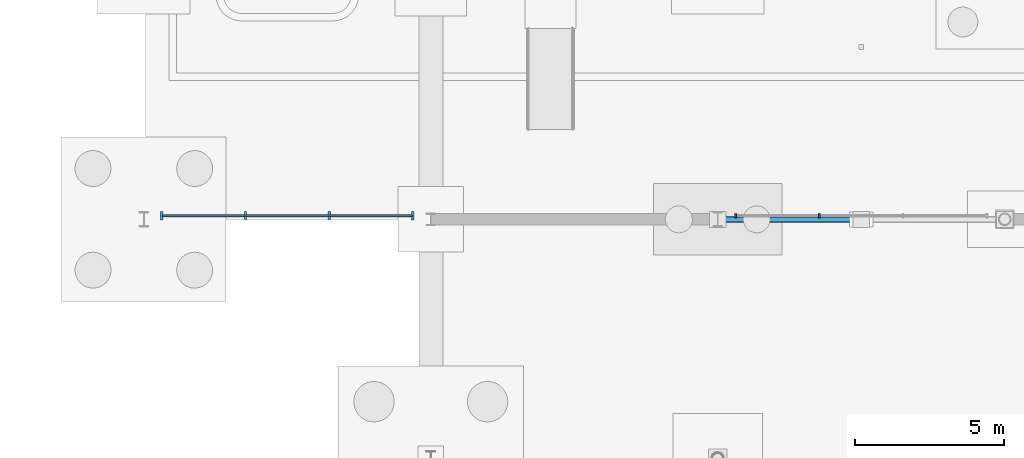
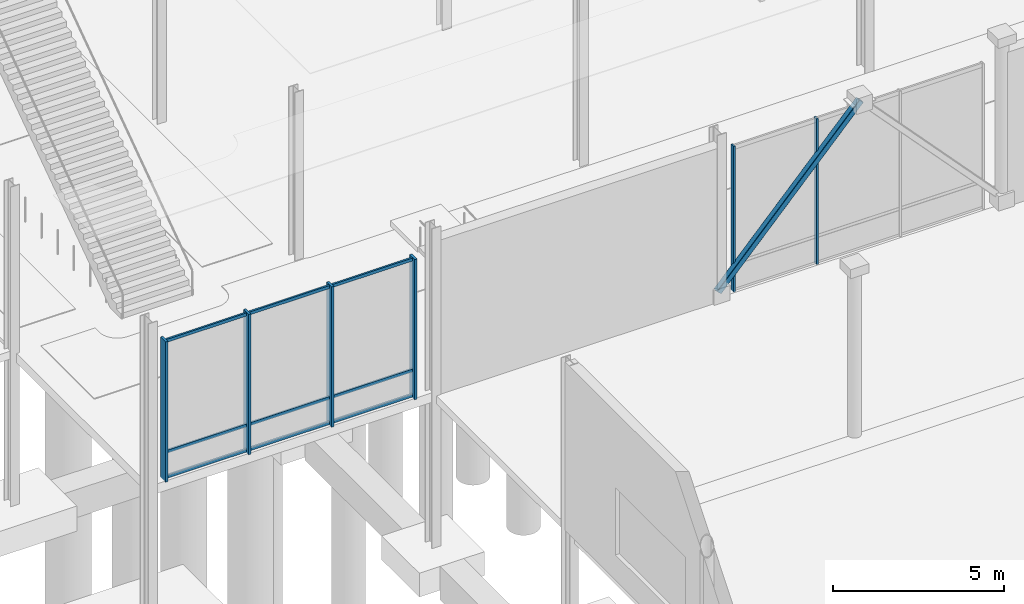
# One storey, part 59 of 124: 10 members, 2 elements without a shape of their own.
"""IFC4 building model written with IfcOpenShell, lengths in metres."""

from ifc_helpers import new_model, si_unit, direction, frame, origin, origin_2d, place, context, subcontext, project, spatial, rectangle, hollow_rectangle, extrude, material, material_profile, profile_set, type_object, element, aggregate, save


model = new_model("IFC4")

# Units and contexts
model_context = context("Model", 3, precision=1e-05, world=origin(), true_north=direction((0.0, 1.0)))
body_context = subcontext(model_context, "Body", "Model", "MODEL_VIEW")
ifc_project = project(units=[si_unit("LENGTHUNIT", "METRE"), si_unit("AREAUNIT", "SQUARE_METRE"), si_unit("VOLUMEUNIT", "CUBIC_METRE"), si_unit("PLANEANGLEUNIT", "RADIAN"), si_unit("MASSUNIT", "GRAM", prefix="KILO")], contexts=[model_context])

# Site, building, storey
site_placement = place(None, origin())
site = spatial("IfcSite", under=ifc_project, at=site_placement, CompositionType="ELEMENT")
building_placement = place(site_placement, origin())
building = spatial("IfcBuilding", under=site, at=building_placement, Name="Danafjord Basin Convention Centre", CompositionType="ELEMENT")
storey_placement = place(building_placement, origin())
storey = spatial("IfcBuildingStorey", under=building, at=storey_placement, Name="L00", CompositionType="ELEMENT", Elevation=0.0)

# Member
ifc_material_1 = material(Name="Steel S355", Category="steel")
ifc_material_profile_1 = material_profile(ifc_material_1, hollow_rectangle(XDim=0.199951171875, YDim=0.199951171875, WallThickness=0.010009765625, InnerFilletRadius=0.014892578125, OuterFilletRadius=0.02490234375, at=origin_2d()), Name="SHS 200x200x10.0")
ifc_profile_set_1 = profile_set([ifc_material_profile_1], Name="Steel S355")
member_type_1 = type_object("IfcMemberType", Name="MEM-BRS-200", PredefinedType="BRACE", material=ifc_profile_set_1)
member_1_placement = place(storey_placement, frame((153.60009765625, 88.0, 0.25), z_axis=(0.681804063418, 0.0, 0.731534837931), x_axis=(0.0, 1.0, 0.0)))
element("IfcMember", 1, at=member_1_placement, inside=storey, type_object=member_type_1, Name="Diagonal brace BRS-200 (L00 braced frame BF-07 diagonal A)", PredefinedType="BRACE", context=body_context, shape_type="SweptSolid", body=[
    extrude(hollow_rectangle(XDim=0.199951171875, YDim=0.199951171875, WallThickness=0.010009765625, InnerFilletRadius=0.014892578125, OuterFilletRadius=0.02490234375, at=origin_2d()), origin(), (0.0, 0.0, 1.0), 7.039794921875),
])

# Curtain wall, members
ifc_material_2 = material(Name="Anodised aluminium and triple glazing", Category="aluminium")
curtain_wall_type = type_object("IfcCurtainWallType", Name="CW-CW-DRUM", PredefinedType="NOTDEFINED", material=ifc_material_2)
curtain_wall_1_placement = place(storey_placement, origin())
curtain_wall_1 = element("IfcCurtainWall", 2, at=curtain_wall_1_placement, inside=storey, type_object=curtain_wall_type, Name="L00 CW-DRUM unitised curtain wall bay 115", PredefinedType="NOTDEFINED")
ifc_material_3 = material(Name="Anodised aluminium EN AW-6060", Category="aluminium")
ifc_material_profile_2 = material_profile(ifc_material_3, rectangle(XDim=0.06005859375, YDim=0.139892578125, at=origin_2d()), Name="MULL 60x140")
ifc_profile_set_2 = profile_set([ifc_material_profile_2], Name="Anodised aluminium EN AW-6060")
member_type_2 = type_object("IfcMemberType", Name="MEM-ML-140", PredefinedType="MULLION", material=ifc_profile_set_2)
member_2_placement = place(storey_placement, frame((154.199951171875, 88.1201171875, -0.02490234375), z_axis=(0.0, 0.0, 1.0), x_axis=(1.0, 0.0, 0.0)))
member_2 = element("IfcMember", 3, at=member_2_placement, type_object=member_type_2, Name="CW-L00-115 mullion 1", PredefinedType="MULLION", context=body_context, shape_type="SweptSolid", body=[
    extrude(rectangle(XDim=0.06005859375, YDim=0.139892578125, at=origin_2d()), origin(), (0.0, 0.0, 1.0), 5.204833984375),
])
member_3_placement = place(storey_placement, frame((157.0, 88.1201171875, -0.02490234375), z_axis=(0.0, 0.0, 1.0), x_axis=(1.0, 0.0, 0.0)))
member_3 = element("IfcMember", 4, at=member_3_placement, type_object=member_type_2, Name="CW-L00-115 mullion 2", PredefinedType="MULLION", context=body_context, shape_type="SweptSolid", body=[
    extrude(rectangle(XDim=0.06005859375, YDim=0.139892578125, at=origin_2d()), origin(), (0.0, 0.0, 1.0), 5.204833984375),
])
aggregate(curtain_wall_1, [member_2, member_3])

curtain_wall_2_placement = place(storey_placement, origin())
curtain_wall_2 = element("IfcCurtainWall", 5, at=curtain_wall_2_placement, inside=storey, type_object=curtain_wall_type, Name="L00 CW-DRUM unitised curtain wall bay 114", PredefinedType="NOTDEFINED")
ifc_material_profile_3 = material_profile(ifc_material_3, rectangle(XDim=0.080078125, YDim=0.300048828125, at=origin_2d()), Name="MULL 80x300")
ifc_profile_set_3 = profile_set([ifc_material_profile_3], Name="Anodised aluminium EN AW-6060")
member_type_3 = type_object("IfcMemberType", Name="MEM-ML-300", PredefinedType="MULLION", material=ifc_profile_set_3)
member_4_placement = place(storey_placement, frame((135.0, 88.1201171875, -0.02490234375), z_axis=(0.0, 0.0, 1.0), x_axis=(1.0, 0.0, 0.0)))
member_4 = element("IfcMember", 6, at=member_4_placement, type_object=member_type_3, Name="CW-L00-114 mullion 1", PredefinedType="MULLION", context=body_context, shape_type="SweptSolid", body=[
    extrude(rectangle(XDim=0.080078125, YDim=0.300048828125, at=origin_2d()), origin(), (0.0, 0.0, 1.0), 5.0048828125),
])
member_5_placement = place(storey_placement, frame((137.800048828125, 88.1201171875, -0.02490234375), z_axis=(0.0, 0.0, 1.0), x_axis=(1.0, 0.0, 0.0)))
member_5 = element("IfcMember", 7, at=member_5_placement, type_object=member_type_3, Name="CW-L00-114 mullion 2", PredefinedType="MULLION", context=body_context, shape_type="SweptSolid", body=[
    extrude(rectangle(XDim=0.080078125, YDim=0.300048828125, at=origin_2d()), origin(), (0.0, 0.0, 1.0), 5.0048828125),
])
member_6_placement = place(storey_placement, frame((140.60009765625, 88.1201171875, -0.02490234375), z_axis=(0.0, 0.0, 1.0), x_axis=(1.0, 0.0, 0.0)))
member_6 = element("IfcMember", 8, at=member_6_placement, type_object=member_type_3, Name="CW-L00-114 mullion 3", PredefinedType="MULLION", context=body_context, shape_type="SweptSolid", body=[
    extrude(rectangle(XDim=0.080078125, YDim=0.300048828125, at=origin_2d()), origin(), (0.0, 0.0, 1.0), 5.0048828125),
])
member_7_placement = place(storey_placement, frame((143.39990234375, 88.1201171875, -0.02490234375), z_axis=(0.0, 0.0, 1.0), x_axis=(1.0, 0.0, 0.0)))
member_7 = element("IfcMember", 9, at=member_7_placement, type_object=member_type_3, Name="CW-L00-114 mullion 4", PredefinedType="MULLION", context=body_context, shape_type="SweptSolid", body=[
    extrude(rectangle(XDim=0.080078125, YDim=0.300048828125, at=origin_2d()), origin(), (0.0, 0.0, 1.0), 5.0048828125),
])
ifc_material_profile_4 = material_profile(ifc_material_3, rectangle(XDim=0.06005859375, YDim=0.110107421875, at=origin_2d()), Name="TRAN 60x110")
ifc_profile_set_4 = profile_set([ifc_material_profile_4], Name="Anodised aluminium EN AW-6060")
member_type_4 = type_object("IfcMemberType", Name="MEM-TR-110", PredefinedType="USERDEFINED", material=ifc_profile_set_4)
member_8_placement = place(storey_placement, frame((135.0, 88.1201171875, 0.06005859375), z_axis=(1.0, 0.0, 0.0), x_axis=(0.0, 1.0, 0.0)))
member_8 = element("IfcMember", 10, at=member_8_placement, type_object=member_type_4, Name="CW-L00-114 transom 1", ObjectType="TRANSOM", PredefinedType="USERDEFINED", context=body_context, shape_type="SweptSolid", body=[
    extrude(rectangle(XDim=0.06005859375, YDim=0.110107421875, at=origin_2d()), origin(), (0.0, 0.0, 1.0), 8.39990234375),
])
member_9_placement = place(storey_placement, frame((135.0, 88.1201171875, 0.949951171875), z_axis=(1.0, 0.0, 0.0), x_axis=(0.0, 1.0, 0.0)))
member_9 = element("IfcMember", 11, at=member_9_placement, type_object=member_type_4, Name="CW-L00-114 transom 2", ObjectType="TRANSOM", PredefinedType="USERDEFINED", context=body_context, shape_type="SweptSolid", body=[
    extrude(rectangle(XDim=0.06005859375, YDim=0.110107421875, at=origin_2d()), origin(), (0.0, 0.0, 1.0), 8.39990234375),
])
member_10_placement = place(storey_placement, frame((135.0, 88.1201171875, 4.909912109375), z_axis=(1.0, 0.0, 0.0), x_axis=(0.0, 1.0, 0.0)))
member_10 = element("IfcMember", 12, at=member_10_placement, type_object=member_type_4, Name="CW-L00-114 transom 3", ObjectType="TRANSOM", PredefinedType="USERDEFINED", context=body_context, shape_type="SweptSolid", body=[
    extrude(rectangle(XDim=0.06005859375, YDim=0.110107421875, at=origin_2d()), origin(), (0.0, 0.0, 1.0), 8.39990234375),
])
aggregate(curtain_wall_2, [member_4, member_5, member_6, member_7, member_8, member_9, member_10])

save(model, "model.ifc")
